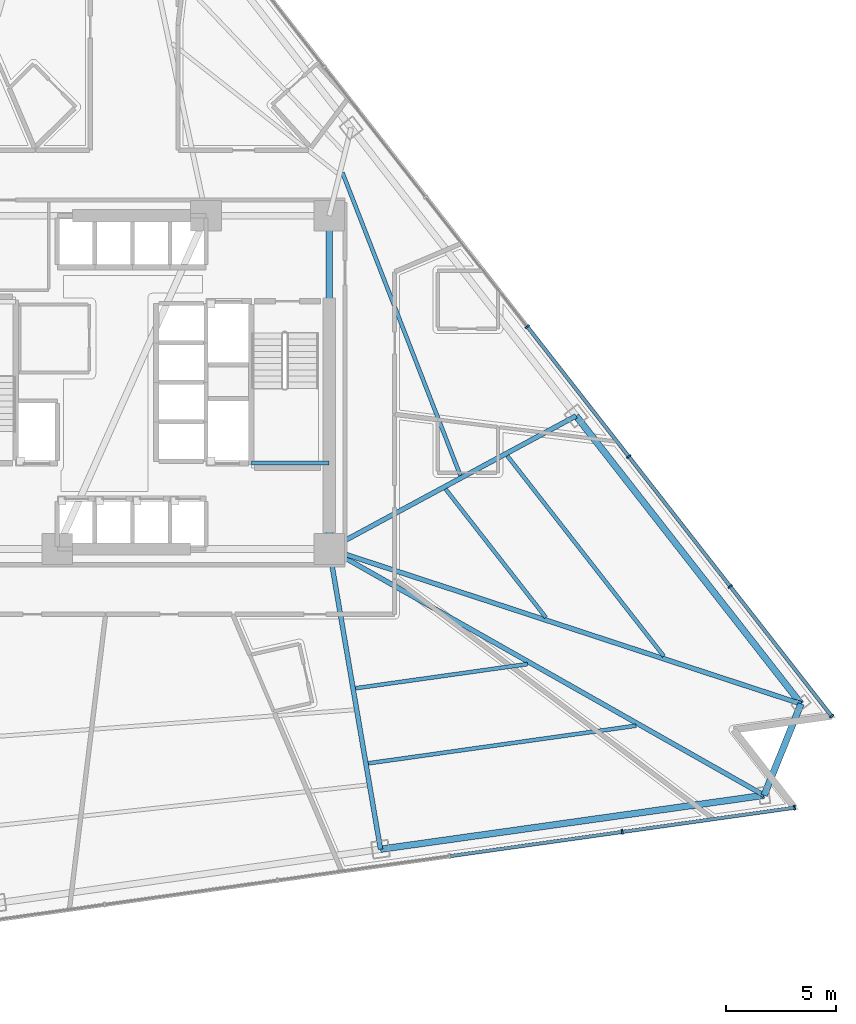
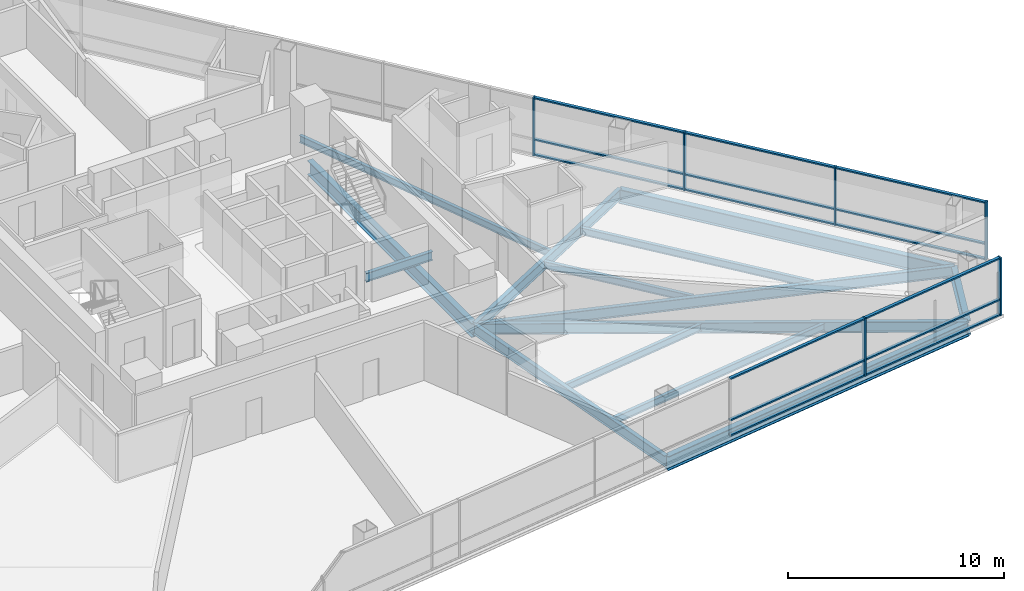
# One storey, part 4 of 15: 21 members, 14 beams, 2 elements without a shape of their own.
"""IFC4 building model written with IfcOpenShell, lengths in metres."""

from ifc_helpers import new_model, si_unit, direction, frame, origin, origin_2d, place, context, subcontext, project, spatial, rectangle, i_section, extrude, material, layer, layer_set, material_profile, profile_set, type_object, element, aggregate, save


model = new_model("IFC4")

# Units and contexts
model_context = context("Model", 3, precision=1e-05, world=origin(), true_north=direction((0.0, 1.0)))
body_context = subcontext(model_context, "Body", "Model", "MODEL_VIEW")
ifc_project = project(units=[si_unit("LENGTHUNIT", "METRE"), si_unit("AREAUNIT", "SQUARE_METRE"), si_unit("VOLUMEUNIT", "CUBIC_METRE"), si_unit("PLANEANGLEUNIT", "RADIAN"), si_unit("MASSUNIT", "GRAM", prefix="KILO")], contexts=[model_context])

# Site, building, storey
site_placement = place(None, origin())
site = spatial("IfcSite", under=ifc_project, at=site_placement, CompositionType="ELEMENT")
building_placement = place(site_placement, origin())
building = spatial("IfcBuilding", under=site, at=building_placement, Name="Tharavind Bronze Gate", CompositionType="ELEMENT")
storey_placement = place(building_placement, frame((0.0, 0.0, 74.199951171875)))
storey = spatial("IfcBuildingStorey", under=building, at=storey_placement, Name="L18", CompositionType="ELEMENT", Elevation=74.199951171875)

# Curtain wall, members
ifc_material_1 = material(Name="Anodised Bronze Aluminium", Category="aluminium")
ifc_layer = layer(ifc_material_1, 0.219970703125)
ifc_layer_set = layer_set([ifc_layer], Name="Anodised Bronze Aluminium")
curtain_wall_type = type_object("IfcCurtainWallType", Name="UNITISED CURTAIN WALL HOTEL", PredefinedType="USERDEFINED", material=ifc_layer_set)
curtain_wall_1_placement = place(storey_placement, origin())
curtain_wall_1 = element("IfcCurtainWall", 1, at=curtain_wall_1_placement, inside=storey, type_object=curtain_wall_type, Name="L18 unitised curtain wall hotel CW-L18-S2", ObjectType="UNITISED CURTAIN WALL", PredefinedType="USERDEFINED")
member_type_1 = type_object("IfcMemberType", Name="CURTAIN WALL MULLION 80X220", PredefinedType="MULLION", material=ifc_material_1)
member_1_placement = place(storey_placement, frame((22.261474609375, -20.504638671875, 0.0), z_axis=(0.0, 0.0, 1.0), x_axis=(0.990268068742, 0.13917310096, 0.0)))
member_1 = element("IfcMember", 2, at=member_1_placement, type_object=member_type_1, Name="CW-L18-S2 mullion 7", PredefinedType="MULLION", context=body_context, shape_type="SweptSolid", body=[
    extrude(rectangle(XDim=0.080078125, YDim=0.219970703125, at=origin_2d()), origin(), (0.0, 0.0, 1.0), 3.27490234375),
])
member_2_placement = place(storey_placement, frame((30.127685546875, -19.399169921875, 0.0), z_axis=(0.0, 0.0, 1.0), x_axis=(0.990268068742, 0.13917310096, 0.0)))
member_2 = element("IfcMember", 3, at=member_2_placement, type_object=member_type_1, Name="CW-L18-S2 mullion 8", PredefinedType="MULLION", context=body_context, shape_type="SweptSolid", body=[
    extrude(rectangle(XDim=0.080078125, YDim=0.219970703125, at=origin_2d()), origin(), (0.0, 0.0, 1.0), 3.27490234375),
])

curtain_wall_2_placement = place(storey_placement, origin())
curtain_wall_2 = element("IfcCurtainWall", 4, at=curtain_wall_2_placement, inside=storey, type_object=curtain_wall_type, Name="L18 unitised curtain wall hotel CW-L18-S3", ObjectType="UNITISED CURTAIN WALL", PredefinedType="USERDEFINED")
member_3_placement = place(storey_placement, frame((31.8134765625, -15.226806640625, 0.0), z_axis=(0.0, 0.0, 1.0), x_axis=(-0.615661475326, 0.788010753607, 0.0)))
member_3 = element("IfcMember", 5, at=member_3_placement, type_object=member_type_1, Name="CW-L18-S3 mullion 1", PredefinedType="MULLION", context=body_context, shape_type="SweptSolid", body=[
    extrude(rectangle(XDim=0.080078125, YDim=0.219970703125, at=origin_2d()), origin(), (0.0, 0.0, 1.0), 3.27490234375),
])
member_4_placement = place(storey_placement, frame((27.186767578125, -9.3046875, 0.0), z_axis=(0.0, 0.0, 1.0), x_axis=(-0.615661475326, 0.788010753607, 0.0)))
member_4 = element("IfcMember", 6, at=member_4_placement, type_object=member_type_1, Name="CW-L18-S3 mullion 2", PredefinedType="MULLION", context=body_context, shape_type="SweptSolid", body=[
    extrude(rectangle(XDim=0.080078125, YDim=0.219970703125, at=origin_2d()), origin(), (0.0, 0.0, 1.0), 3.27490234375),
])
member_5_placement = place(storey_placement, frame((22.56005859375, -3.3828125, 0.0), z_axis=(0.0, 0.0, 1.0), x_axis=(-0.615661475326, 0.788010753607, 0.0)))
member_5 = element("IfcMember", 7, at=member_5_placement, type_object=member_type_1, Name="CW-L18-S3 mullion 3", PredefinedType="MULLION", context=body_context, shape_type="SweptSolid", body=[
    extrude(rectangle(XDim=0.080078125, YDim=0.219970703125, at=origin_2d()), origin(), (0.0, 0.0, 1.0), 3.27490234375),
])
member_6_placement = place(storey_placement, frame((17.933349609375, 2.5390625, 0.0), z_axis=(0.0, 0.0, 1.0), x_axis=(-0.615661475326, 0.788010753607, 0.0)))
member_6 = element("IfcMember", 8, at=member_6_placement, type_object=member_type_1, Name="CW-L18-S3 mullion 4", PredefinedType="MULLION", context=body_context, shape_type="SweptSolid", body=[
    extrude(rectangle(XDim=0.080078125, YDim=0.219970703125, at=origin_2d()), origin(), (0.0, 0.0, 1.0), 3.27490234375),
])

# Member
member_type_2 = type_object("IfcMemberType", Name="CURTAIN WALL TRANSOM 80X160", PredefinedType="USERDEFINED", material=ifc_material_1)
member_7_placement = place(storey_placement, frame((18.328369140625, -21.057373046875, 0.0), z_axis=(0.0, 0.0, 1.0), x_axis=(0.990268068742, 0.13917310096, 0.0)))
member_7 = element("IfcMember", 9, at=member_7_placement, type_object=member_type_2, Name="CW-L18-S2 transom TB6", ObjectType="TRANSOM", PredefinedType="USERDEFINED", context=body_context, shape_type="SweptSolid", body=[
    extrude(rectangle(XDim=7.87548828125, YDim=0.159912109375, at=origin_2d()), origin(), (0.0, 0.0, 1.0), 0.080078125),
])

member_8_placement = place(storey_placement, frame((18.328369140625, -21.057373046875, 0.860107421875), z_axis=(0.0, 0.0, 1.0), x_axis=(0.990268068742, 0.13917310096, 0.0)))
member_8 = element("IfcMember", 10, at=member_8_placement, type_object=member_type_2, Name="CW-L18-S2 transom TS6", ObjectType="TRANSOM", PredefinedType="USERDEFINED", context=body_context, shape_type="SweptSolid", body=[
    extrude(rectangle(XDim=7.87548828125, YDim=0.159912109375, at=origin_2d()), origin(), (0.0, 0.0, 1.0), 0.080078125),
])

member_9_placement = place(storey_placement, frame((18.328369140625, -21.057373046875, 3.195068359375), z_axis=(0.0, 0.0, 1.0), x_axis=(0.990268068742, 0.13917310096, 0.0)))
member_9 = element("IfcMember", 11, at=member_9_placement, type_object=member_type_2, Name="CW-L18-S2 transom TT6", ObjectType="TRANSOM", PredefinedType="USERDEFINED", context=body_context, shape_type="SweptSolid", body=[
    extrude(rectangle(XDim=7.87548828125, YDim=0.159912109375, at=origin_2d()), origin(), (0.0, 0.0, 1.0), 0.080078125),
])

member_10_placement = place(storey_placement, frame((26.194580078125, -19.951904296875, 0.0), z_axis=(0.0, 0.0, 1.0), x_axis=(0.990268068742, 0.13917310096, 0.0)))
member_10 = element("IfcMember", 12, at=member_10_placement, type_object=member_type_2, Name="CW-L18-S2 transom TB7", ObjectType="TRANSOM", PredefinedType="USERDEFINED", context=body_context, shape_type="SweptSolid", body=[
    extrude(rectangle(XDim=7.87548828125, YDim=0.159912109375, at=origin_2d()), origin(), (0.0, 0.0, 1.0), 0.080078125),
])

member_11_placement = place(storey_placement, frame((26.194580078125, -19.951904296875, 0.860107421875), z_axis=(0.0, 0.0, 1.0), x_axis=(0.990268068742, 0.13917310096, 0.0)))
member_11 = element("IfcMember", 13, at=member_11_placement, type_object=member_type_2, Name="CW-L18-S2 transom TS7", ObjectType="TRANSOM", PredefinedType="USERDEFINED", context=body_context, shape_type="SweptSolid", body=[
    extrude(rectangle(XDim=7.87548828125, YDim=0.159912109375, at=origin_2d()), origin(), (0.0, 0.0, 1.0), 0.080078125),
])

member_12_placement = place(storey_placement, frame((26.194580078125, -19.951904296875, 3.195068359375), z_axis=(0.0, 0.0, 1.0), x_axis=(0.990268068742, 0.13917310096, 0.0)))
member_12 = element("IfcMember", 14, at=member_12_placement, type_object=member_type_2, Name="CW-L18-S2 transom TT7", ObjectType="TRANSOM", PredefinedType="USERDEFINED", context=body_context, shape_type="SweptSolid", body=[
    extrude(rectangle(XDim=7.87548828125, YDim=0.159912109375, at=origin_2d()), origin(), (0.0, 0.0, 1.0), 0.080078125),
])

aggregate(curtain_wall_1, [member_1, member_2, member_7, member_8, member_9, member_10, member_11, member_12])

member_13_placement = place(storey_placement, frame((29.5, -12.265869140625, 0.0), z_axis=(0.0, 0.0, 1.0), x_axis=(-0.615661475326, 0.788010753607, 0.0)))
member_13 = element("IfcMember", 15, at=member_13_placement, type_object=member_type_2, Name="CW-L18-S3 transom TB1", ObjectType="TRANSOM", PredefinedType="USERDEFINED", context=body_context, shape_type="SweptSolid", body=[
    extrude(rectangle(XDim=7.447021484375, YDim=0.159912109375, at=origin_2d()), origin(), (0.0, 0.0, 1.0), 0.080078125),
])

member_14_placement = place(storey_placement, frame((29.5, -12.265869140625, 0.860107421875), z_axis=(0.0, 0.0, 1.0), x_axis=(-0.615661475326, 0.788010753607, 0.0)))
member_14 = element("IfcMember", 16, at=member_14_placement, type_object=member_type_2, Name="CW-L18-S3 transom TS1", ObjectType="TRANSOM", PredefinedType="USERDEFINED", context=body_context, shape_type="SweptSolid", body=[
    extrude(rectangle(XDim=7.447021484375, YDim=0.159912109375, at=origin_2d()), origin(), (0.0, 0.0, 1.0), 0.080078125),
])

member_15_placement = place(storey_placement, frame((29.5, -12.265869140625, 3.195068359375), z_axis=(0.0, 0.0, 1.0), x_axis=(-0.615661475326, 0.788010753607, 0.0)))
member_15 = element("IfcMember", 17, at=member_15_placement, type_object=member_type_2, Name="CW-L18-S3 transom TT1", ObjectType="TRANSOM", PredefinedType="USERDEFINED", context=body_context, shape_type="SweptSolid", body=[
    extrude(rectangle(XDim=7.447021484375, YDim=0.159912109375, at=origin_2d()), origin(), (0.0, 0.0, 1.0), 0.080078125),
])

member_16_placement = place(storey_placement, frame((24.873291015625, -6.343994140625, 0.0), z_axis=(0.0, 0.0, 1.0), x_axis=(-0.615661475326, 0.788010753607, 0.0)))
member_16 = element("IfcMember", 18, at=member_16_placement, type_object=member_type_2, Name="CW-L18-S3 transom TB2", ObjectType="TRANSOM", PredefinedType="USERDEFINED", context=body_context, shape_type="SweptSolid", body=[
    extrude(rectangle(XDim=7.447021484375, YDim=0.159912109375, at=origin_2d()), origin(), (0.0, 0.0, 1.0), 0.080078125),
])

member_17_placement = place(storey_placement, frame((24.873291015625, -6.343994140625, 0.860107421875), z_axis=(0.0, 0.0, 1.0), x_axis=(-0.615661475326, 0.788010753607, 0.0)))
member_17 = element("IfcMember", 19, at=member_17_placement, type_object=member_type_2, Name="CW-L18-S3 transom TS2", ObjectType="TRANSOM", PredefinedType="USERDEFINED", context=body_context, shape_type="SweptSolid", body=[
    extrude(rectangle(XDim=7.447021484375, YDim=0.159912109375, at=origin_2d()), origin(), (0.0, 0.0, 1.0), 0.080078125),
])

member_18_placement = place(storey_placement, frame((24.873291015625, -6.343994140625, 3.195068359375), z_axis=(0.0, 0.0, 1.0), x_axis=(-0.615661475326, 0.788010753607, 0.0)))
member_18 = element("IfcMember", 20, at=member_18_placement, type_object=member_type_2, Name="CW-L18-S3 transom TT2", ObjectType="TRANSOM", PredefinedType="USERDEFINED", context=body_context, shape_type="SweptSolid", body=[
    extrude(rectangle(XDim=7.447021484375, YDim=0.159912109375, at=origin_2d()), origin(), (0.0, 0.0, 1.0), 0.080078125),
])

member_19_placement = place(storey_placement, frame((20.24658203125, -0.421875, 0.0), z_axis=(0.0, 0.0, 1.0), x_axis=(-0.615661475326, 0.788010753607, 0.0)))
member_19 = element("IfcMember", 21, at=member_19_placement, type_object=member_type_2, Name="CW-L18-S3 transom TB3", ObjectType="TRANSOM", PredefinedType="USERDEFINED", context=body_context, shape_type="SweptSolid", body=[
    extrude(rectangle(XDim=7.447021484375, YDim=0.159912109375, at=origin_2d()), origin(), (0.0, 0.0, 1.0), 0.080078125),
])

member_20_placement = place(storey_placement, frame((20.24658203125, -0.421875, 0.860107421875), z_axis=(0.0, 0.0, 1.0), x_axis=(-0.615661475326, 0.788010753607, 0.0)))
member_20 = element("IfcMember", 22, at=member_20_placement, type_object=member_type_2, Name="CW-L18-S3 transom TS3", ObjectType="TRANSOM", PredefinedType="USERDEFINED", context=body_context, shape_type="SweptSolid", body=[
    extrude(rectangle(XDim=7.447021484375, YDim=0.159912109375, at=origin_2d()), origin(), (0.0, 0.0, 1.0), 0.080078125),
])

member_21_placement = place(storey_placement, frame((20.24658203125, -0.421875, 3.195068359375), z_axis=(0.0, 0.0, 1.0), x_axis=(-0.615661475326, 0.788010753607, 0.0)))
member_21 = element("IfcMember", 23, at=member_21_placement, type_object=member_type_2, Name="CW-L18-S3 transom TT3", ObjectType="TRANSOM", PredefinedType="USERDEFINED", context=body_context, shape_type="SweptSolid", body=[
    extrude(rectangle(XDim=7.447021484375, YDim=0.159912109375, at=origin_2d()), origin(), (0.0, 0.0, 1.0), 0.080078125),
])

aggregate(curtain_wall_2, [member_3, member_4, member_5, member_6, member_13, member_14, member_15, member_16, member_17, member_18, member_19, member_20, member_21])

# Beams
ifc_material_2 = material(Name="Steel S355", Category="steel")
ifc_material_profile_1 = material_profile(ifc_material_2, i_section(OverallWidth=0.199951171875, OverallDepth=0.5, WebThickness=0.01025390625, FlangeThickness=0.01611328125, at=origin_2d()), Name="IPE500")
ifc_profile_set_1 = profile_set([ifc_material_profile_1], Name="Steel S355")
beam_type_1 = type_object("IfcBeamType", Name="PRIMARY GIRDER IPE500", PredefinedType="USERDEFINED", material=ifc_profile_set_1)
beam_1_placement = place(storey_placement, frame((5.35009765625, -3.679931640625, 1.275146484375), z_axis=(1.0, 0.0, 0.0), x_axis=(0.0, 1.0, 0.0)))
element("IfcBeam", 24, at=beam_1_placement, inside=storey, type_object=beam_type_1, Name="L18 primary girder ipe500 BM-LD-ST2-L18-1", ObjectType="GIRDER", PredefinedType="USERDEFINED", context=body_context, shape_type="SweptSolid", body=[
    extrude(i_section(OverallWidth=0.199951171875, OverallDepth=0.5, WebThickness=0.01025390625, FlangeThickness=0.01611328125, at=origin_2d()), origin(), (0.0, 0.0, 1.0), 3.5498046875),
])
ifc_material_profile_2 = material_profile(ifc_material_2, i_section(OverallWidth=0.219970703125, OverallDepth=0.60009765625, WebThickness=0.011962890625, FlangeThickness=0.01904296875, at=origin_2d()), Name="IPE600")
ifc_profile_set_2 = profile_set([ifc_material_profile_2], Name="Steel S355")
beam_type_2 = type_object("IfcBeamType", Name="PRIMARY GIRDER IPE600", PredefinedType="USERDEFINED", material=ifc_profile_set_2)
beam_2_placement = place(storey_placement, frame((11.23974609375, -21.29638671875, -0.474853515625), z_axis=(-0.168398067653, 0.985719072967, 0.0), x_axis=(-0.985719072967, -0.168398067653, 0.0)))
element("IfcBeam", 25, at=beam_2_placement, inside=storey, type_object=beam_type_2, Name="L18 primary girder ipe600 BM-L18-RAD07", ObjectType="GIRDER", PredefinedType="USERDEFINED", context=body_context, shape_type="SweptSolid", body=[
    extrude(i_section(OverallWidth=0.219970703125, OverallDepth=0.60009765625, WebThickness=0.011962890625, FlangeThickness=0.01904296875, at=origin_2d()), origin(), (0.0, 0.0, 1.0), 13.894775390625),
])
beam_3_placement = place(storey_placement, frame((28.737060546875, -18.837158203125, -0.474853515625), z_axis=(-0.870097351351, 0.492879903396, 0.0), x_axis=(-0.492879903396, -0.870097351351, 0.0)))
element("IfcBeam", 26, at=beam_3_placement, inside=storey, type_object=beam_type_2, Name="L18 primary girder ipe600 BM-L18-RAD08", ObjectType="GIRDER", PredefinedType="USERDEFINED", context=body_context, shape_type="SweptSolid", body=[
    extrude(i_section(OverallWidth=0.219970703125, OverallDepth=0.60009765625, WebThickness=0.011962890625, FlangeThickness=0.01904296875, at=origin_2d()), origin(), (0.0, 0.0, 1.0), 22.798828125),
])
beam_4_placement = place(storey_placement, frame((30.422607421875, -14.664794921875, -0.474853515625), z_axis=(-0.950123985447, 0.311872429494, 0.0), x_axis=(-0.311872429494, -0.950123985447, 0.0)))
element("IfcBeam", 27, at=beam_4_placement, inside=storey, type_object=beam_type_2, Name="L18 primary girder ipe600 BM-L18-RAD09", ObjectType="GIRDER", PredefinedType="USERDEFINED", context=body_context, shape_type="SweptSolid", body=[
    extrude(i_section(OverallWidth=0.219970703125, OverallDepth=0.60009765625, WebThickness=0.011962890625, FlangeThickness=0.01904296875, at=origin_2d()), origin(), (0.0, 0.0, 1.0), 22.652587890625),
])
beam_5_placement = place(storey_placement, frame((20.16015625, -1.529296875, -0.474853515625), z_axis=(-0.880223404357, -0.474559541493, 0.0), x_axis=(0.474559541493, -0.880223404357, 0.0)))
element("IfcBeam", 28, at=beam_5_placement, inside=storey, type_object=beam_type_2, Name="L18 primary girder ipe600 BM-L18-RAD10", ObjectType="GIRDER", PredefinedType="USERDEFINED", context=body_context, shape_type="SweptSolid", body=[
    extrude(i_section(OverallWidth=0.219970703125, OverallDepth=0.60009765625, WebThickness=0.011962890625, FlangeThickness=0.01904296875, at=origin_2d()), origin(), (0.0, 0.0, 1.0), 12.79248046875),
])
ifc_material_profile_3 = material_profile(ifc_material_2, i_section(OverallWidth=0.300048828125, OverallDepth=0.800048828125, WebThickness=0.017578125, FlangeThickness=0.032958984375, at=origin_2d()), Name="HE800B")
ifc_profile_set_3 = profile_set([ifc_material_profile_3], Name="Steel S355")
beam_type_3 = type_object("IfcBeamType", Name="RING GIRDER HE800B", PredefinedType="USERDEFINED", material=ifc_profile_set_3)
beam_6_placement = place(storey_placement, frame((8.89990234375, -7.60009765625, -0.574951171875), z_axis=(0.0, 1.0, 0.0), x_axis=(-1.0, 0.0, 0.0)))
element("IfcBeam", 29, at=beam_6_placement, inside=storey, type_object=beam_type_3, Name="L18 ring girder he800b BM-L18-CR3", ObjectType="GIRDER", PredefinedType="USERDEFINED", context=body_context, shape_type="SweptSolid", body=[
    extrude(i_section(OverallWidth=0.300048828125, OverallDepth=0.800048828125, WebThickness=0.017578125, FlangeThickness=0.032958984375, at=origin_2d()), origin(), (0.0, 0.0, 1.0), 15.2001953125),
])
beam_7_placement = place(storey_placement, frame((11.23974609375, -21.29638671875, -0.574951171875), z_axis=(0.990266966294, 0.13918094506, 0.0), x_axis=(-0.13918094506, 0.990266966294, 0.0)))
element("IfcBeam", 30, at=beam_7_placement, inside=storey, type_object=beam_type_3, Name="L18 ring girder he800b BM-L18-PRG07", ObjectType="GIRDER", PredefinedType="USERDEFINED", context=body_context, shape_type="SweptSolid", body=[
    extrude(i_section(OverallWidth=0.300048828125, OverallDepth=0.800048828125, WebThickness=0.017578125, FlangeThickness=0.032958984375, at=origin_2d()), origin(), (0.0, 0.0, 1.0), 17.669189453125),
])
beam_8_placement = place(storey_placement, frame((28.737060546875, -18.837158203125, -0.574951171875), z_axis=(0.374568898324, 0.927199083481, 0.0), x_axis=(-0.927199083481, 0.374568898324, 0.0)))
element("IfcBeam", 31, at=beam_8_placement, inside=storey, type_object=beam_type_3, Name="L18 ring girder he800b BM-L18-PRG08", ObjectType="GIRDER", PredefinedType="USERDEFINED", context=body_context, shape_type="SweptSolid", body=[
    extrude(i_section(OverallWidth=0.300048828125, OverallDepth=0.800048828125, WebThickness=0.017578125, FlangeThickness=0.032958984375, at=origin_2d()), origin(), (0.0, 0.0, 1.0), 4.5),
])
beam_9_placement = place(storey_placement, frame((30.422607421875, -14.664794921875, -0.574951171875), z_axis=(-0.61565683186, 0.788014381458, 0.0), x_axis=(-0.788014381458, -0.61565683186, 0.0)))
element("IfcBeam", 32, at=beam_9_placement, inside=storey, type_object=beam_type_3, Name="L18 ring girder he800b BM-L18-PRG09", ObjectType="GIRDER", PredefinedType="USERDEFINED", context=body_context, shape_type="SweptSolid", body=[
    extrude(i_section(OverallWidth=0.300048828125, OverallDepth=0.800048828125, WebThickness=0.017578125, FlangeThickness=0.032958984375, at=origin_2d()), origin(), (0.0, 0.0, 1.0), 16.669189453125),
])
ifc_material_profile_4 = material_profile(ifc_material_2, i_section(OverallWidth=0.179931640625, OverallDepth=0.39990234375, WebThickness=0.008544921875, FlangeThickness=0.013427734375, at=origin_2d()), Name="IPE400")
ifc_profile_set_4 = profile_set([ifc_material_profile_4], Name="Steel S355")
beam_type_4 = type_object("IfcBeamType", Name="SECONDARY FLOOR JOIST IPE400", PredefinedType="JOIST", material=ifc_profile_set_4)
beam_10_placement = place(storey_placement, frame((10.100830078125, -13.952880859375, -0.375), z_axis=(0.990270061331, 0.13915892221, 0.0), x_axis=(-0.13915892221, 0.990270061331, 0.0)))
element("IfcBeam", 33, at=beam_10_placement, inside=storey, type_object=beam_type_4, Name="L18 secondary floor joist ipe400 BM-L18-JSTA07", PredefinedType="JOIST", context=body_context, shape_type="SweptSolid", body=[
    extrude(i_section(OverallWidth=0.179931640625, OverallDepth=0.39990234375, WebThickness=0.008544921875, FlangeThickness=0.013427734375, at=origin_2d()), origin(), (0.0, 0.0, 1.0), 7.917724609375),
])
beam_11_placement = place(storey_placement, frame((10.685791015625, -17.376953125, -0.375), z_axis=(0.990269539088, 0.139162638498, 0.0), x_axis=(-0.139162638498, 0.990269539088, 0.0)))
element("IfcBeam", 34, at=beam_11_placement, inside=storey, type_object=beam_type_4, Name="L18 secondary floor joist ipe400 BM-L18-JSTB07", PredefinedType="JOIST", context=body_context, shape_type="SweptSolid", body=[
    extrude(i_section(OverallWidth=0.179931640625, OverallDepth=0.39990234375, WebThickness=0.008544921875, FlangeThickness=0.013427734375, at=origin_2d()), origin(), (0.0, 0.0, 1.0), 12.3349609375),
])
beam_12_placement = place(storey_placement, frame((18.783935546875, -10.726318359375, -0.375), z_axis=(-0.615658063003, 0.788013419593, 0.0), x_axis=(-0.788013419593, -0.615658063003, 0.0)))
element("IfcBeam", 35, at=beam_12_placement, inside=storey, type_object=beam_type_4, Name="L18 secondary floor joist ipe400 BM-L18-JSTA09", PredefinedType="JOIST", context=body_context, shape_type="SweptSolid", body=[
    extrude(i_section(OverallWidth=0.179931640625, OverallDepth=0.39990234375, WebThickness=0.008544921875, FlangeThickness=0.013427734375, at=origin_2d()), origin(), (0.0, 0.0, 1.0), 7.433837890625),
])
beam_13_placement = place(storey_placement, frame((24.16455078125, -12.492431640625, -0.375), z_axis=(-0.61565833532, 0.788013206838, 0.0), x_axis=(-0.788013206838, -0.61565833532, 0.0)))
element("IfcBeam", 36, at=beam_13_placement, inside=storey, type_object=beam_type_4, Name="L18 secondary floor joist ipe400 BM-L18-JSTB09", PredefinedType="JOIST", context=body_context, shape_type="SweptSolid", body=[
    extrude(i_section(OverallWidth=0.179931640625, OverallDepth=0.39990234375, WebThickness=0.008544921875, FlangeThickness=0.013427734375, at=origin_2d()), origin(), (0.0, 0.0, 1.0), 11.60107421875),
])
beam_14_placement = place(storey_placement, frame((14.882568359375, -4.2451171875, -0.375), z_axis=(-0.362958255352, 0.931805400753, 0.0), x_axis=(-0.931805400753, -0.362958255352, 0.0)))
element("IfcBeam", 37, at=beam_14_placement, inside=storey, type_object=beam_type_4, Name="L18 secondary floor joist ipe400 BM-L18-JSTA10", PredefinedType="JOIST", context=body_context, shape_type="SweptSolid", body=[
    extrude(i_section(OverallWidth=0.179931640625, OverallDepth=0.39990234375, WebThickness=0.008544921875, FlangeThickness=0.013427734375, at=origin_2d()), origin(), (0.0, 0.0, 1.0), 14.817626953125),
])

save(model, "model.ifc")
